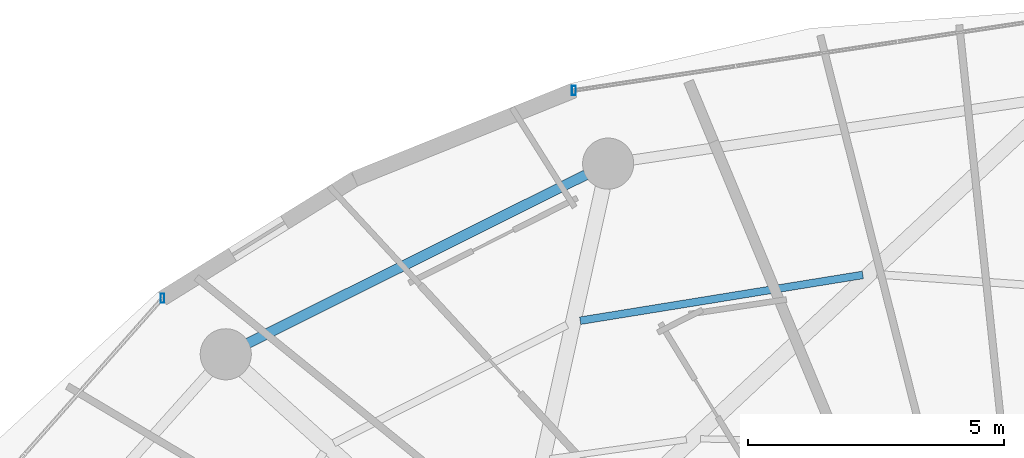
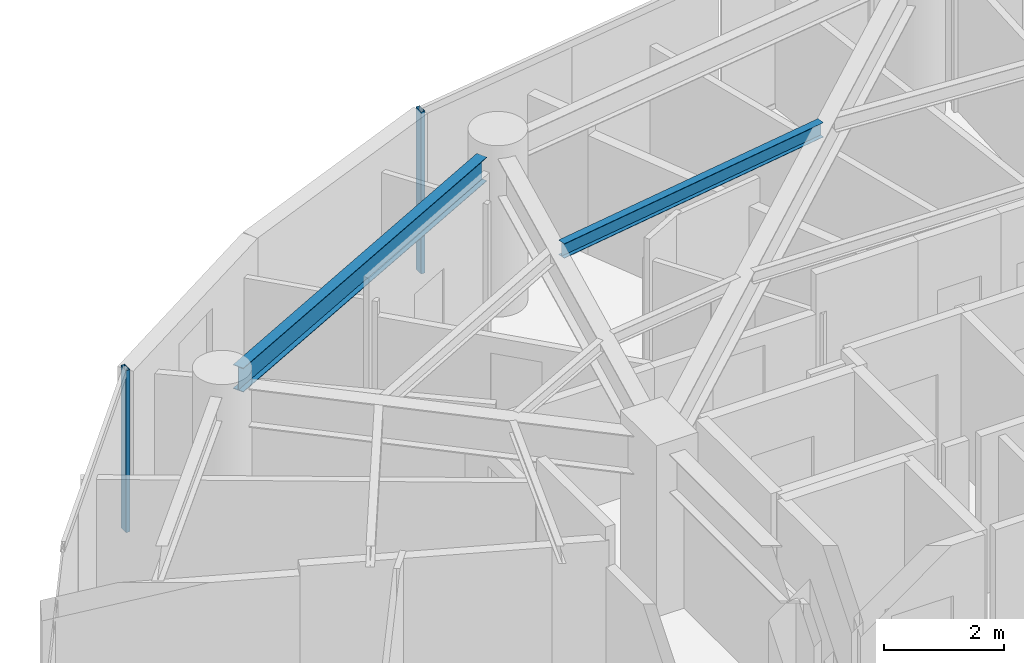
# One storey, part 15 of 28: 2 beams, 2 members, 2 elements without a shape of their own.
"""IFC4 building model written with IfcOpenShell, lengths in metres."""

from ifc_helpers import new_model, si_unit, direction, frame, origin, origin_2d, place, context, subcontext, project, spatial, hollow_rectangle, i_section, extrude, material, material_profile, profile_set, type_object, element, aggregate, save


model = new_model("IFC4")

# Units and contexts
model_context = context("Model", 3, precision=1e-05, world=origin(), true_north=direction((0.0, 1.0)))
body_context = subcontext(model_context, "Body", "Model", "MODEL_VIEW")
ifc_project = project(units=[si_unit("LENGTHUNIT", "METRE"), si_unit("AREAUNIT", "SQUARE_METRE"), si_unit("VOLUMEUNIT", "CUBIC_METRE"), si_unit("PLANEANGLEUNIT", "RADIAN"), si_unit("MASSUNIT", "GRAM", prefix="KILO")], contexts=[model_context])

# Site, building, storey
site_placement = place(None, origin())
site = spatial("IfcSite", under=ifc_project, at=site_placement, CompositionType="ELEMENT")
building_placement = place(site_placement, origin())
building = spatial("IfcBuilding", under=site, at=building_placement, Name="Vorneva Point Tower", CompositionType="ELEMENT")
storey_placement = place(building_placement, frame((0.0, 0.0, 143.10009765625)))
storey = spatial("IfcBuildingStorey", under=building, at=storey_placement, Name="L38", CompositionType="ELEMENT", Elevation=143.10009765625)

# Beams
ifc_material_1 = material(Name="Steel S355", Category="steel")
ifc_material_profile_1 = material_profile(ifc_material_1, i_section(OverallWidth=0.14892578125, OverallDepth=0.298095703125, WebThickness=0.005615234375, FlangeThickness=0.008056640625, at=origin_2d()), Name="30B1")
ifc_profile_set_1 = profile_set([ifc_material_profile_1], Name="Steel S355")
beam_type_1 = type_object("IfcBeamType", Name="BM-JST-30B1", PredefinedType="JOIST", material=ifc_profile_set_1)
beam_1_placement = place(storey_placement, frame((34.159423828125, 39.714599609375, 3.0908203125), z_axis=(-0.987113669352, -0.160020635475, 0.0), x_axis=(0.160020635475, -0.987113669352, 0.0)))
element("IfcBeam", 1, at=beam_1_placement, inside=storey, type_object=beam_type_1, Name="L38 Secondary Floor Beam 1.05", PredefinedType="JOIST", context=body_context, shape_type="SweptSolid", body=[
    extrude(i_section(OverallWidth=0.14892578125, OverallDepth=0.298095703125, WebThickness=0.005615234375, FlangeThickness=0.008056640625, at=origin_2d()), origin(), (0.0, 0.0, 1.0), 5.599365234375),
])
ifc_material_profile_2 = material_profile(ifc_material_1, i_section(OverallWidth=0.199951171875, OverallDepth=0.491943359375, WebThickness=0.0087890625, FlangeThickness=0.011962890625, at=origin_2d()), Name="50B1")
ifc_profile_set_2 = profile_set([ifc_material_profile_2], Name="Steel S355")
beam_type_2 = type_object("IfcBeamType", Name="BM-SPN-50B1", PredefinedType="SPANDREL", material=ifc_profile_set_2)
beam_2_placement = place(storey_placement, frame((28.7451171875, 41.67431640625, 2.993896484375), z_axis=(-0.894929061397, -0.446208443518, 0.0), x_axis=(0.446208443518, -0.894929061397, 0.0)))
element("IfcBeam", 2, at=beam_2_placement, inside=storey, type_object=beam_type_2, Name="L38 Perimeter Spandrel Ring Beam 06", PredefinedType="SPANDREL", context=body_context, shape_type="SweptSolid", body=[
    extrude(i_section(OverallWidth=0.199951171875, OverallDepth=0.491943359375, WebThickness=0.0087890625, FlangeThickness=0.011962890625, at=origin_2d()), origin(), (0.0, 0.0, 1.0), 7.385986328125),
])

# Curtain wall, member
ifc_material_2 = material(Name="Pale anodised aluminium", Category="aluminium")
curtain_wall_type = type_object("IfcCurtainWallType", Name="CW-RES-SYS", PredefinedType="NOTDEFINED", material=ifc_material_2)
curtain_wall_1_placement = place(storey_placement, origin())
curtain_wall_1 = element("IfcCurtainWall", 3, at=curtain_wall_1_placement, inside=storey, type_object=curtain_wall_type, Name="L38 Unitised Curtain Wall CW-L38-R01", PredefinedType="NOTDEFINED")
ifc_material_profile_3 = material_profile(ifc_material_2, hollow_rectangle(XDim=0.074951171875, YDim=0.179931640625, WallThickness=0.00390625, at=origin_2d()), Name="AL-MUL 180x75x4")
ifc_profile_set_3 = profile_set([ifc_material_profile_3], Name="Pale anodised aluminium")
member_type = type_object("IfcMemberType", Name="CW-MUL-180", PredefinedType="MULLION", material=ifc_profile_set_3)
member_1_placement = place(storey_placement, frame((28.509521484375, 43.32275390625, -0.0400390625), z_axis=(0.0, 0.0, 1.0), x_axis=(1.0, 0.0, 0.0)))
member_1 = element("IfcMember", 4, at=member_1_placement, type_object=member_type, Name="CW-L38-R01 Mullion 05", PredefinedType="MULLION", context=body_context, shape_type="SweptSolid", body=[
    extrude(hollow_rectangle(XDim=0.074951171875, YDim=0.179931640625, WallThickness=0.00390625, at=origin_2d()), origin(), (0.0, 0.0, 1.0), 3.31005859375),
])
aggregate(curtain_wall_1, [member_1])

curtain_wall_2_placement = place(storey_placement, origin())
curtain_wall_2 = element("IfcCurtainWall", 5, at=curtain_wall_2_placement, inside=storey, type_object=curtain_wall_type, Name="L38 Unitised Curtain Wall CW-L38-R02", PredefinedType="NOTDEFINED")
member_2_placement = place(storey_placement, frame((20.4638671875, 39.25830078125, -0.0400390625), z_axis=(0.0, 0.0, 1.0), x_axis=(1.0, 0.0, 0.0)))
member_2 = element("IfcMember", 6, at=member_2_placement, type_object=member_type, Name="CW-L38-R02 Mullion 01", PredefinedType="MULLION", context=body_context, shape_type="SweptSolid", body=[
    extrude(hollow_rectangle(XDim=0.074951171875, YDim=0.179931640625, WallThickness=0.00390625, at=origin_2d()), origin(), (0.0, 0.0, 1.0), 3.31005859375),
])
aggregate(curtain_wall_2, [member_2])

save(model, "model.ifc")
